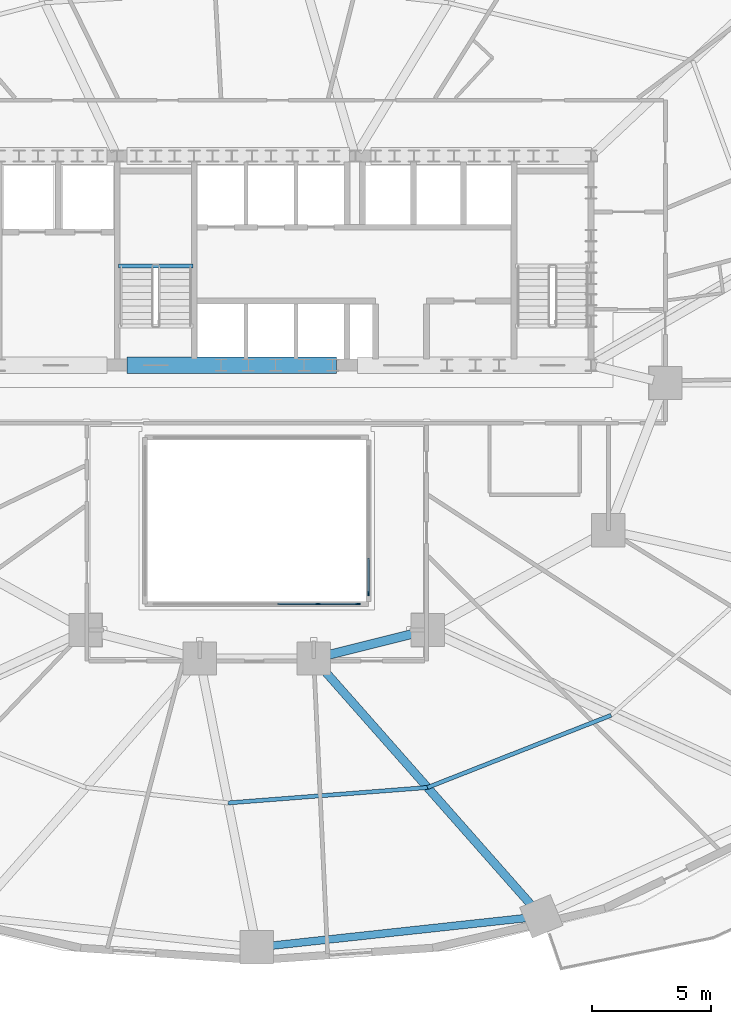
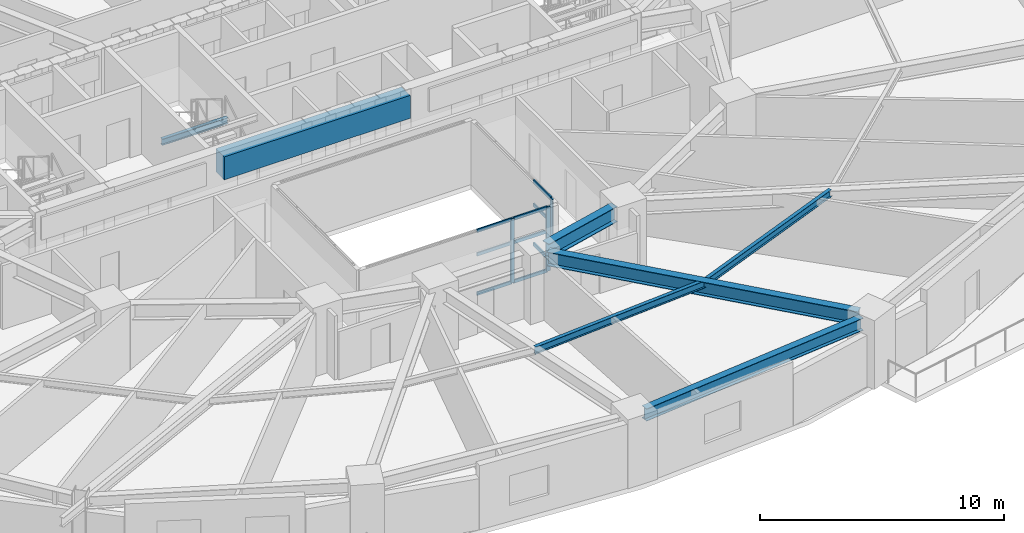
# One storey, part 5 of 17: 12 members, 7 beams, 2 elements without a shape of their own.
"""IFC4 building model written with IfcOpenShell, lengths in metres."""

import ifcopenshell
import ifcopenshell.guid

model = None  # the IFC model being written
_history = None  # IfcOwnerHistory: only IFC2X3 demands one
_inside = {}  # id of a spatial element -> (the spatial element, [elements in it])
_under = {}  # id of a project, library or spatial element -> (it, [spatial elements below it])
_declared = {}  # id of a project -> (the project, [libraries it declares])
_typed = {}  # id of a type object -> (the type object, [elements of that type])
_made_of = {}  # id of a material, layer set ... -> (it, [elements and type objects made of it])


def new_model(schema):
    """Start an empty IFC model of exactly this schema.

    Asked for "IFC4X3", IfcOpenShell would pick the latest addendum, in which some entities
    have other attributes; the version numbers below select the first issue.
    IFC2X3 requires an IfcOwnerHistory on every rooted entity: one is made here for all.
    """
    global model, _history
    if schema == "IFC4X3":
        model = ifcopenshell.file(schema_version=(4, 3, 0, 0))
    else:
        model = ifcopenshell.file(schema=schema)
    _inside.clear()
    _under.clear()
    _declared.clear()
    _typed.clear()
    _made_of.clear()
    _history = None
    if model.schema == "IFC2X3":
        org = make("IfcOrganization", Name="unknown")
        user = make(
            "IfcPersonAndOrganization",
            ThePerson=make("IfcPerson", FamilyName="unknown"),
            TheOrganization=org,
        )
        app = make(
            "IfcApplication",
            ApplicationDeveloper=org,
            Version="unknown",
            ApplicationFullName="unknown",
            ApplicationIdentifier="unknown",
        )
        _history = make(
            "IfcOwnerHistory",
            OwningUser=user,
            OwningApplication=app,
            ChangeAction="ADDED",
            CreationDate=0,
        )
    return model


def make(cls, **values):
    """One entity of the class cls with the attributes given. An attribute that is None is left unset."""
    return model.create_entity(
        cls, **{name: value for name, value in values.items() if value is not None}
    )


def rooted(cls, **values):
    """An entity with a GlobalId (a new one), such as an element, a storey or a relation."""
    return make(cls, GlobalId=ifcopenshell.guid.new(), OwnerHistory=_history, **values)


def si_unit(unit_type, name, prefix=None):
    """IfcSIUnit, for example si_unit("LENGTHUNIT", "METRE", prefix="MILLI")."""
    return make("IfcSIUnit", UnitType=unit_type, Prefix=prefix, Name=name)


def assignment(units):
    """IfcUnitAssignment: the units of a project."""
    return None if units is None else make("IfcUnitAssignment", Units=units)


def point(xyz):
    """IfcCartesianPoint."""
    return None if xyz is None else make("IfcCartesianPoint", Coordinates=xyz)


def direction(xyz):
    """IfcDirection."""
    return None if xyz is None else make("IfcDirection", DirectionRatios=xyz)


def frame(location, z_axis=None, x_axis=None):
    """IfcAxis2Placement3D, a coordinate frame: its origin and axes. An axis left out is left unset."""
    return make(
        "IfcAxis2Placement3D",
        Location=point(location),
        Axis=direction(z_axis),
        RefDirection=direction(x_axis),
    )


def frame_2d(location, x_axis=None):
    """IfcAxis2Placement2D, a coordinate frame in the plane: its origin and x axis."""
    return make(
        "IfcAxis2Placement2D", Location=point(location), RefDirection=direction(x_axis)
    )


def origin():
    """The frame at (0, 0, 0) with its axes left unset."""
    return frame((0.0, 0.0, 0.0))


def origin_2d():
    """The frame at (0, 0) in the plane with its x axis left unset."""
    return frame_2d((0.0, 0.0))


def place(relative_to, where):
    """IfcLocalPlacement: puts the frame where relative to a parent placement (None: the world)."""
    return make(
        "IfcLocalPlacement", PlacementRelTo=relative_to, RelativePlacement=where
    )


def context(
    kind, dimensions, precision=None, world=None, true_north=None, identifier=None
):
    """IfcGeometricRepresentationContext, for example the 3D "Model" context."""
    return make(
        "IfcGeometricRepresentationContext",
        ContextIdentifier=identifier,
        ContextType=kind,
        CoordinateSpaceDimension=dimensions,
        Precision=precision,
        WorldCoordinateSystem=world,
        TrueNorth=true_north,
    )


def subcontext(parent, identifier, kind, view, scale=None):
    """IfcGeometricRepresentationSubContext, for example "Body" below "Model"."""
    return make(
        "IfcGeometricRepresentationSubContext",
        ContextIdentifier=identifier,
        ContextType=kind,
        ParentContext=parent,
        TargetScale=scale,
        TargetView=view,
    )


def project(units=None, contexts=None):
    """IfcProject with its units and contexts."""
    return rooted(
        "IfcProject",
        Name="project",
        RepresentationContexts=contexts,
        UnitsInContext=assignment(units),
    )


def spatial(cls, under=None, at=None, **own):
    """A site, building, storey or space (cls), placed at a placement, below another one or the project."""
    s = rooted(cls, ObjectPlacement=at, **own)
    if under is not None:
        _under.setdefault(under.id(), (under, []))[1].append(s)
    return s


def profile(cls, at=None, kind="AREA", **sizes):
    """A parametric profile (cls). Its sizes go by their IFC names, for example OverallWidth=200.0."""
    return make(cls, ProfileType=kind, Position=at, **sizes)


def rectangle(**sizes):
    """IfcRectangleProfileDef."""
    return profile("IfcRectangleProfileDef", **sizes)


def i_section(**sizes):
    """IfcIShapeProfileDef."""
    return profile("IfcIShapeProfileDef", **sizes)


def extrude(swept, where, along, depth):
    """IfcExtrudedAreaSolid: the profile swept, set in the frame where, extruded along a direction by depth."""
    return make(
        "IfcExtrudedAreaSolid",
        SweptArea=swept,
        Position=where,
        ExtrudedDirection=direction(along),
        Depth=depth,
    )


def shape(context_of_items, identifier, shape_type, items):
    """IfcShapeRepresentation: the items that make up one representation, for example the "Body"."""
    return make(
        "IfcShapeRepresentation",
        ContextOfItems=context_of_items,
        RepresentationIdentifier=identifier,
        RepresentationType=shape_type,
        Items=items,
    )


def material(Name=None, Category=None):
    """IfcMaterial."""
    return make("IfcMaterial", Name=Name, Category=Category)


def material_profile(
    of_material, cross_section, Name=None, Category=None, Priority=None
):
    """IfcMaterialProfile: a cross section and its material."""
    return make(
        "IfcMaterialProfile",
        Name=Name,
        Material=of_material,
        Profile=cross_section,
        Priority=Priority,
        Category=Category,
    )


def profile_set(profiles, Name=None, composite=None):
    """IfcMaterialProfileSet."""
    return make(
        "IfcMaterialProfileSet",
        Name=Name,
        MaterialProfiles=profiles,
        CompositeProfile=composite,
    )


def made_of(thing, what):
    """Note that an element or type object is made of a material, layer set ...; save() writes the relation."""
    if what is not None:
        _made_of.setdefault(what.id(), (what, []))[1].append(thing)
    return thing


def type_object(cls, material=None, **own):
    """A type object (cls), such as IfcWallType, which elements share."""
    return made_of(rooted(cls, **own), material)


def element(
    cls,
    number,
    at=None,
    inside=None,
    cuts=None,
    type_object=None,
    material=None,
    context=None,
    identifier="Body",
    shape_type=None,
    held_by="IfcProductDefinitionShape",
    body=None,
    shapes=None,
    **own,
):
    """One element of the class cls, such as IfcWall. Its Tag is "e" and its number.

    at: its placement. inside: the storey or other place that contains it. cuts: it is an
    opening in that element (IfcRelVoidsElement). A single representation is given by context,
    identifier, shape_type and body (its items); several are given by shapes. held_by: the class
    of the entity that holds the representations. save() writes the other relations.
    """
    e = rooted(cls, Tag="e%d" % number, ObjectPlacement=at, **own)
    if body is not None:
        shapes = [shape(context, identifier, shape_type, body)]
    if shapes is not None:
        e.Representation = make(held_by, Representations=shapes)
    if inside is not None:
        _inside.setdefault(inside.id(), (inside, []))[1].append(e)
    if cuts is not None:
        rooted(
            "IfcRelVoidsElement", RelatingBuildingElement=cuts, RelatedOpeningElement=e
        )
    if type_object is not None:
        _typed.setdefault(type_object.id(), (type_object, []))[1].append(e)
    return made_of(e, material)


def aggregate(whole, parts):
    """IfcRelAggregates: a whole, such as a stair, and the parts it consists of."""
    return rooted("IfcRelAggregates", RelatingObject=whole, RelatedObjects=parts)


def save(model, path):
    """Write the relations noted so far, then the file.

    IfcRelAggregates (storeys below a building ...), IfcRelContainedInSpatialStructure (elements
    in a storey), IfcRelDefinesByType, IfcRelAssociatesMaterial and IfcRelDeclares: one each for
    every whole, place, type object, material and project.
    """
    for whole, parts in _under.values():
        aggregate(whole, parts)
    for where, things in _inside.values():
        rooted(
            "IfcRelContainedInSpatialStructure",
            RelatedElements=things,
            RelatingStructure=where,
        )
    for kind, things in _typed.values():
        rooted("IfcRelDefinesByType", RelatedObjects=things, RelatingType=kind)
    for what, things in _made_of.values():
        rooted("IfcRelAssociatesMaterial", RelatedObjects=things, RelatingMaterial=what)
    for by, libraries in _declared.values():
        rooted("IfcRelDeclares", RelatingContext=by, RelatedDefinitions=libraries)
    model.write(path)


model = new_model("IFC4")

# Units and contexts
model_context = context("Model", 3, precision=1e-05, world=origin(), true_north=direction((0.0, 1.0)))
body_context = subcontext(model_context, "Body", "Model", "MODEL_VIEW")
ifc_project = project(units=[si_unit("LENGTHUNIT", "METRE"), si_unit("AREAUNIT", "SQUARE_METRE"), si_unit("VOLUMEUNIT", "CUBIC_METRE"), si_unit("PLANEANGLEUNIT", "RADIAN"), si_unit("MASSUNIT", "GRAM", prefix="KILO")], contexts=[model_context])

# Site, building, storey
site_placement = place(None, origin())
site = spatial("IfcSite", under=ifc_project, at=site_placement, CompositionType="ELEMENT")
building_placement = place(site_placement, origin())
building = spatial("IfcBuilding", under=site, at=building_placement, Name="Haldorwick Loom Tower", CompositionType="ELEMENT")
storey_placement = place(building_placement, frame((0.0, 0.0, 30.89990234375)))
storey = spatial("IfcBuildingStorey", under=building, at=storey_placement, Name="L07", CompositionType="ELEMENT", Elevation=30.89990234375)

# Curtain wall, members
ifc_material_1 = material(Name="Thermally Broken Anodized Aluminium Curtain Wall Framing", Category="aluminium")
curtain_wall_type = type_object("IfcCurtainWallType", Name="ARC-CW-03", PredefinedType="NOTDEFINED", material=ifc_material_1)
curtain_wall_1_placement = place(storey_placement, origin())
curtain_wall_1 = element("IfcCurtainWall", 1, at=curtain_wall_1_placement, inside=storey, type_object=curtain_wall_type, Name="L07 Atrium Glazed Screen S", PredefinedType="NOTDEFINED")
ifc_material_profile_1 = material_profile(ifc_material_1, rectangle(XDim=0.06591796875, YDim=0.18505859375, at=origin_2d()), Name="ALU_MUL_66X185", Category="aluminium")
ifc_profile_set_1 = profile_set([ifc_material_profile_1], Name="Thermally Broken Anodized Aluminium Curtain Wall Framing")
member_type_1 = type_object("IfcMemberType", Name="ARC-CWM-03", PredefinedType="MULLION", material=ifc_profile_set_1)
member_1_placement = place(storey_placement, frame((40.26708984375, 16.699951171875, 0.0), z_axis=(0.0, 0.0, 1.0), x_axis=(0.0, -1.0, 0.0)))
member_1 = element("IfcMember", 2, at=member_1_placement, type_object=member_type_1, Name="CW-03 mullion 1", PredefinedType="MULLION", context=body_context, shape_type="SweptSolid", body=[
    extrude(rectangle(XDim=0.06591796875, YDim=0.18505859375, at=origin_2d()), origin(), (0.0, 0.0, 1.0), 3.210205078125),
])
member_2_placement = place(storey_placement, frame((38.580078125, 16.699951171875, 0.0), z_axis=(0.0, 0.0, 1.0), x_axis=(0.0, -1.0, 0.0)))
member_2 = element("IfcMember", 3, at=member_2_placement, type_object=member_type_1, Name="CW-03 mullion 2", PredefinedType="MULLION", context=body_context, shape_type="SweptSolid", body=[
    extrude(rectangle(XDim=0.06591796875, YDim=0.18505859375, at=origin_2d()), origin(), (0.0, 0.0, 1.0), 3.210205078125),
])

# Curtain wall, member
curtain_wall_2_placement = place(storey_placement, origin())
curtain_wall_2 = element("IfcCurtainWall", 4, at=curtain_wall_2_placement, inside=storey, type_object=curtain_wall_type, Name="L07 Atrium Glazed Screen E", PredefinedType="NOTDEFINED")
member_3_placement = place(storey_placement, frame((40.699951171875, 17.133056640625, 0.0), z_axis=(0.0, 0.0, 1.0), x_axis=(1.0, 0.0, 0.0)))
member_3 = element("IfcMember", 5, at=member_3_placement, type_object=member_type_1, Name="CW-03 mullion 5", PredefinedType="MULLION", context=body_context, shape_type="SweptSolid", body=[
    extrude(rectangle(XDim=0.06591796875, YDim=0.18505859375, at=origin_2d()), origin(), (0.0, 0.0, 1.0), 3.210205078125),
])

# Member
ifc_material_profile_2 = material_profile(ifc_material_1, rectangle(XDim=0.06591796875, YDim=0.1650390625, at=origin_2d()), Name="ALU_TRN_66X165", Category="aluminium")
ifc_profile_set_2 = profile_set([ifc_material_profile_2], Name="Thermally Broken Anodized Aluminium Curtain Wall Framing")
member_type_2 = type_object("IfcMemberType", Name="ARC-CWT-03", PredefinedType="USERDEFINED", material=ifc_profile_set_2)
member_4_placement = place(storey_placement, frame((40.23388671875, 16.699951171875, 0.033203125), z_axis=(-1.0, 0.0, 0.0), x_axis=(0.0, -1.0, 0.0)))
member_4 = element("IfcMember", 6, at=member_4_placement, type_object=member_type_2, Name="CW-03 transom 1.1", ObjectType="TRANSOM", PredefinedType="USERDEFINED", context=body_context, shape_type="SweptSolid", body=[
    extrude(rectangle(XDim=0.06591796875, YDim=0.1650390625, at=origin_2d()), origin(), (0.0, 0.0, 1.0), 1.620849609375),
])

member_5_placement = place(storey_placement, frame((40.23388671875, 16.699951171875, 2.0), z_axis=(-1.0, 0.0, 0.0), x_axis=(0.0, -1.0, 0.0)))
member_5 = element("IfcMember", 7, at=member_5_placement, type_object=member_type_2, Name="CW-03 transom 1.2", ObjectType="TRANSOM", PredefinedType="USERDEFINED", context=body_context, shape_type="SweptSolid", body=[
    extrude(rectangle(XDim=0.06591796875, YDim=0.1650390625, at=origin_2d()), origin(), (0.0, 0.0, 1.0), 1.620849609375),
])

member_6_placement = place(storey_placement, frame((40.23388671875, 16.699951171875, 3.177001953125), z_axis=(-1.0, 0.0, 0.0), x_axis=(0.0, -1.0, 0.0)))
member_6 = element("IfcMember", 8, at=member_6_placement, type_object=member_type_2, Name="CW-03 transom 1.3", ObjectType="TRANSOM", PredefinedType="USERDEFINED", context=body_context, shape_type="SweptSolid", body=[
    extrude(rectangle(XDim=0.06591796875, YDim=0.1650390625, at=origin_2d()), origin(), (0.0, 0.0, 1.0), 1.620849609375),
])

member_7_placement = place(storey_placement, frame((38.547119140625, 16.699951171875, 0.033203125), z_axis=(-1.0, 0.0, 0.0), x_axis=(0.0, -1.0, 0.0)))
member_7 = element("IfcMember", 9, at=member_7_placement, type_object=member_type_2, Name="CW-03 transom 2.1", ObjectType="TRANSOM", PredefinedType="USERDEFINED", context=body_context, shape_type="SweptSolid", body=[
    extrude(rectangle(XDim=0.06591796875, YDim=0.1650390625, at=origin_2d()), origin(), (0.0, 0.0, 1.0), 1.654052734375),
])

member_8_placement = place(storey_placement, frame((38.547119140625, 16.699951171875, 2.0), z_axis=(-1.0, 0.0, 0.0), x_axis=(0.0, -1.0, 0.0)))
member_8 = element("IfcMember", 10, at=member_8_placement, type_object=member_type_2, Name="CW-03 transom 2.2", ObjectType="TRANSOM", PredefinedType="USERDEFINED", context=body_context, shape_type="SweptSolid", body=[
    extrude(rectangle(XDim=0.06591796875, YDim=0.1650390625, at=origin_2d()), origin(), (0.0, 0.0, 1.0), 1.654052734375),
])

member_9_placement = place(storey_placement, frame((38.547119140625, 16.699951171875, 3.177001953125), z_axis=(-1.0, 0.0, 0.0), x_axis=(0.0, -1.0, 0.0)))
member_9 = element("IfcMember", 11, at=member_9_placement, type_object=member_type_2, Name="CW-03 transom 2.3", ObjectType="TRANSOM", PredefinedType="USERDEFINED", context=body_context, shape_type="SweptSolid", body=[
    extrude(rectangle(XDim=0.06591796875, YDim=0.1650390625, at=origin_2d()), origin(), (0.0, 0.0, 1.0), 1.654052734375),
])

aggregate(curtain_wall_1, [member_1, member_2, member_4, member_5, member_6, member_7, member_8, member_9])

member_10_placement = place(storey_placement, frame((40.699951171875, 18.616943359375, 0.033203125), z_axis=(0.0, -1.0, 0.0), x_axis=(1.0, 0.0, 0.0)))
member_10 = element("IfcMember", 12, at=member_10_placement, type_object=member_type_2, Name="CW-03 transom 4.1", ObjectType="TRANSOM", PredefinedType="USERDEFINED", context=body_context, shape_type="SweptSolid", body=[
    extrude(rectangle(XDim=0.06591796875, YDim=0.1650390625, at=origin_2d()), origin(), (0.0, 0.0, 1.0), 1.450927734375),
])

member_11_placement = place(storey_placement, frame((40.699951171875, 18.616943359375, 2.0), z_axis=(0.0, -1.0, 0.0), x_axis=(1.0, 0.0, 0.0)))
member_11 = element("IfcMember", 13, at=member_11_placement, type_object=member_type_2, Name="CW-03 transom 4.2", ObjectType="TRANSOM", PredefinedType="USERDEFINED", context=body_context, shape_type="SweptSolid", body=[
    extrude(rectangle(XDim=0.06591796875, YDim=0.1650390625, at=origin_2d()), origin(), (0.0, 0.0, 1.0), 1.450927734375),
])

member_12_placement = place(storey_placement, frame((40.699951171875, 18.616943359375, 3.177001953125), z_axis=(0.0, -1.0, 0.0), x_axis=(1.0, 0.0, 0.0)))
member_12 = element("IfcMember", 14, at=member_12_placement, type_object=member_type_2, Name="CW-03 transom 4.3", ObjectType="TRANSOM", PredefinedType="USERDEFINED", context=body_context, shape_type="SweptSolid", body=[
    extrude(rectangle(XDim=0.06591796875, YDim=0.1650390625, at=origin_2d()), origin(), (0.0, 0.0, 1.0), 1.450927734375),
])

aggregate(curtain_wall_2, [member_3, member_10, member_11, member_12])

# Beams
ifc_material_2 = material(Name="Concrete C60 (60 MPa)", Category="concrete")
ifc_material_profile_3 = material_profile(ifc_material_2, rectangle(XDim=0.699951171875, YDim=1.14990234375, at=origin_2d()), Name="RC700X1150", Category="concrete")
ifc_profile_set_3 = profile_set([ifc_material_profile_3], Name="Concrete C60 (60 MPa)")
beam_type_1 = type_object("IfcBeamType", Name="STR-BM-CB1150", PredefinedType="LINTEL", material=ifc_profile_set_3)
beam_1_placement = place(storey_placement, frame((30.550048828125, 26.75, 2.635009765625), z_axis=(1.0, 0.0, 0.0), x_axis=(0.0, 1.0, 0.0)))
element("IfcBeam", 15, at=beam_1_placement, inside=storey, type_object=beam_type_1, Name="L07 Core Coupling Beam CB-S2", PredefinedType="LINTEL", context=body_context, shape_type="SweptSolid", body=[
    extrude(rectangle(XDim=0.699951171875, YDim=1.14990234375, at=origin_2d()), origin(), (0.0, 0.0, 1.0), 8.800048828125),
])
ifc_material_3 = material(Name="Steel CSA G40.21 350W", Category="steel")
ifc_material_profile_4 = material_profile(ifc_material_3, i_section(OverallWidth=0.172119140625, OverallDepth=0.35791015625, WebThickness=0.0078125, FlangeThickness=0.01318359375, at=origin_2d()), Name="W360X57", Category="steel")
ifc_profile_set_4 = profile_set([ifc_material_profile_4], Name="Steel CSA G40.21 350W")
beam_type_2 = type_object("IfcBeamType", Name="STR-BM-J360", PredefinedType="JOIST", material=ifc_profile_set_4)
beam_2_placement = place(storey_placement, frame((34.800048828125, 8.324951171875, 3.031005859375), z_axis=(0.99701252039, 0.077240107368, 0.0), x_axis=(-0.077240107368, 0.99701252039, 0.0)))
element("IfcBeam", 16, at=beam_2_placement, inside=storey, type_object=beam_type_2, Name="L07 Mid-Bay Secondary Joist 13", PredefinedType="JOIST", context=body_context, shape_type="SweptSolid", body=[
    extrude(i_section(OverallWidth=0.172119140625, OverallDepth=0.35791015625, WebThickness=0.0078125, FlangeThickness=0.01318359375, at=origin_2d()), origin(), (0.0, 0.0, 1.0), 8.4140625),
])
beam_3_placement = place(storey_placement, frame((43.18896484375, 8.974853515625, 3.031005859375), z_axis=(0.930584838237, 0.366076301941, 0.0), x_axis=(-0.366076301941, 0.930584838237, 0.0)))
element("IfcBeam", 17, at=beam_3_placement, inside=storey, type_object=beam_type_2, Name="L07 Mid-Bay Secondary Joist 14", PredefinedType="JOIST", context=body_context, shape_type="SweptSolid", body=[
    extrude(i_section(OverallWidth=0.172119140625, OverallDepth=0.35791015625, WebThickness=0.0078125, FlangeThickness=0.01318359375, at=origin_2d()), origin(), (0.0, 0.0, 1.0), 8.302490234375),
])
ifc_material_profile_5 = material_profile(ifc_material_3, i_section(OverallWidth=0.324951171875, OverallDepth=0.615966796875, WebThickness=0.013916015625, FlangeThickness=0.021484375, at=origin_2d()), Name="W610X174", Category="steel")
ifc_profile_set_5 = profile_set([ifc_material_profile_5], Name="Steel CSA G40.21 350W")
beam_type_3 = type_object("IfcBeamType", Name="STR-BM-SP610", PredefinedType="SPANDREL", material=ifc_profile_set_5)
beam_4_placement = place(storey_placement, frame((36.51708984375, 2.30615234375, 2.902099609375), z_axis=(0.994164438636, 0.107875247167, 0.0), x_axis=(-0.107875247167, 0.994164438636, 0.0)))
element("IfcBeam", 18, at=beam_4_placement, inside=storey, type_object=beam_type_3, Name="L07 Perimeter Spandrel 13", PredefinedType="SPANDREL", context=body_context, shape_type="SweptSolid", body=[
    extrude(i_section(OverallWidth=0.324951171875, OverallDepth=0.615966796875, WebThickness=0.013916015625, FlangeThickness=0.021484375, at=origin_2d()), origin(), (0.0, 0.0, 1.0), 11.008056640625),
])
ifc_material_profile_6 = material_profile(ifc_material_3, i_section(OverallWidth=0.166015625, OverallDepth=0.31298828125, WebThickness=0.006591796875, FlangeThickness=0.01123046875, at=origin_2d()), Name="W310X45", Category="steel")
ifc_profile_set_6 = profile_set([ifc_material_profile_6], Name="Steel CSA G40.21 350W")
beam_type_4 = type_object("IfcBeamType", Name="STR-BM-STRM", PredefinedType="BEAM", material=ifc_profile_set_6)
beam_5_placement = place(storey_placement, frame((30.18994140625, 30.919921875, 1.36865234375), z_axis=(1.0, 0.0, 0.0), x_axis=(0.0, 1.0, 0.0)))
element("IfcBeam", 19, at=beam_5_placement, inside=storey, type_object=beam_type_4, Name="L07 Stair ST-03 Half-Landing Trimmer 1", PredefinedType="BEAM", context=body_context, shape_type="SweptSolid", body=[
    extrude(i_section(OverallWidth=0.166015625, OverallDepth=0.31298828125, WebThickness=0.006591796875, FlangeThickness=0.01123046875, at=origin_2d()), origin(), (0.0, 0.0, 1.0), 3.1201171875),
])
ifc_material_profile_7 = material_profile(ifc_material_3, i_section(OverallWidth=0.35498046875, OverallDepth=0.695068359375, WebThickness=0.015380859375, FlangeThickness=0.02490234375, at=origin_2d()), Name="W690X217", Category="steel")
ifc_profile_set_7 = profile_set([ifc_material_profile_7], Name="Steel CSA G40.21 350W")
beam_type_5 = type_object("IfcBeamType", Name="STR-BM-W690", PredefinedType="BEAM", material=ifc_profile_set_7)
beam_6_placement = place(storey_placement, frame((38.744140625, 14.01025390625, 2.862548828125), z_axis=(0.661774304332, -0.749703121326, 0.0), x_axis=(0.749703121326, 0.661774304332, 0.0)))
element("IfcBeam", 20, at=beam_6_placement, inside=storey, type_object=beam_type_5, Name="L07 Radial Floor Girder 14", PredefinedType="BEAM", context=body_context, shape_type="SweptSolid", body=[
    extrude(i_section(OverallWidth=0.35498046875, OverallDepth=0.695068359375, WebThickness=0.015380859375, FlangeThickness=0.02490234375, at=origin_2d()), origin(), (0.0, 0.0, 1.0), 13.43310546875),
])
ifc_material_profile_8 = material_profile(ifc_material_3, i_section(OverallWidth=0.381103515625, OverallDepth=0.77294921875, WebThickness=0.0166015625, FlangeThickness=0.027587890625, at=origin_2d()), Name="W760X257", Category="steel")
ifc_profile_set_8 = profile_set([ifc_material_profile_8], Name="Steel CSA G40.21 350W")
beam_type_6 = type_object("IfcBeamType", Name="STR-BM-W760", PredefinedType="BEAM", material=ifc_profile_set_8)
beam_7_placement = place(storey_placement, frame((42.695556640625, 15.473876953125, 2.823486328125), z_axis=(-0.970142500145, -0.242535625036, 0.0), x_axis=(0.242535625036, -0.970142500145, 0.0)))
element("IfcBeam", 21, at=beam_7_placement, inside=storey, type_object=beam_type_6, Name="L07 Inner Ring Girder 4", PredefinedType="BEAM", context=body_context, shape_type="SweptSolid", body=[
    extrude(i_section(OverallWidth=0.381103515625, OverallDepth=0.77294921875, WebThickness=0.0166015625, FlangeThickness=0.027587890625, at=origin_2d()), origin(), (0.0, 0.0, 1.0), 3.90771484375),
])

save(model, "model.ifc")
